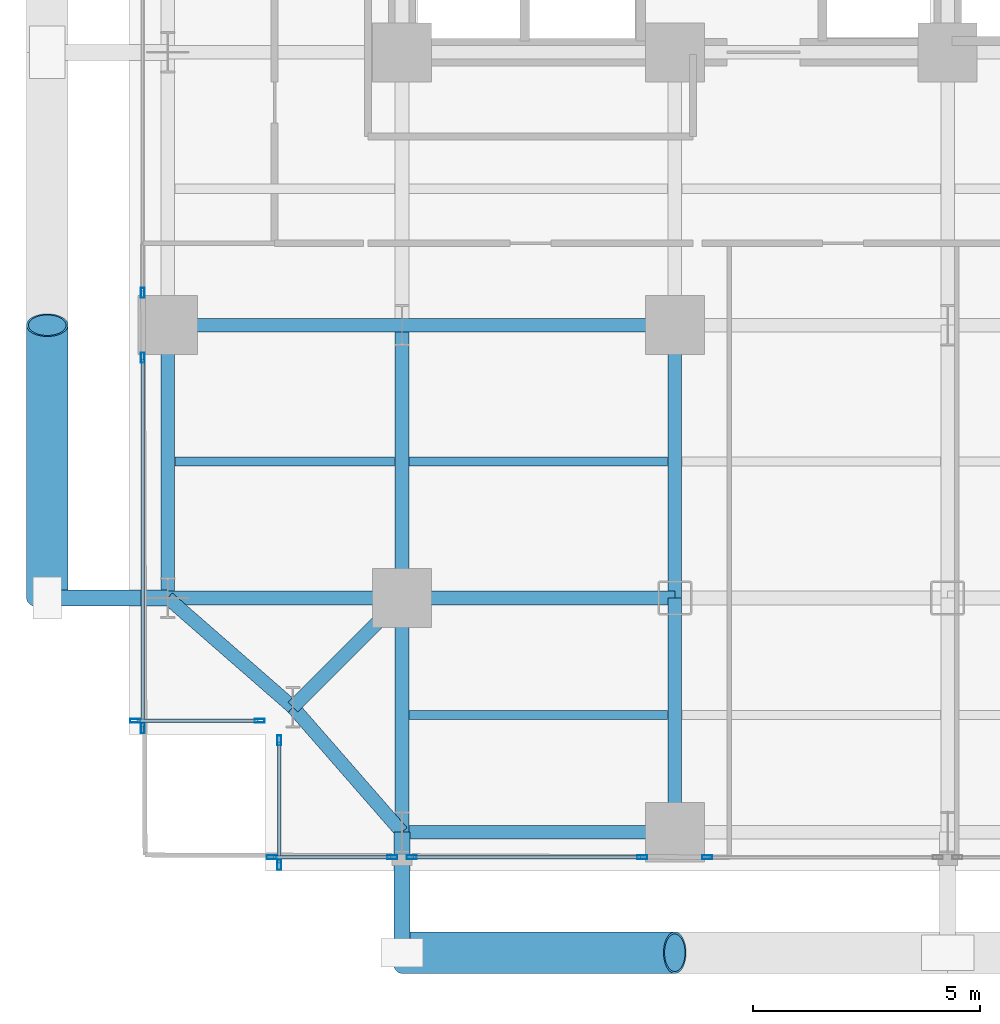
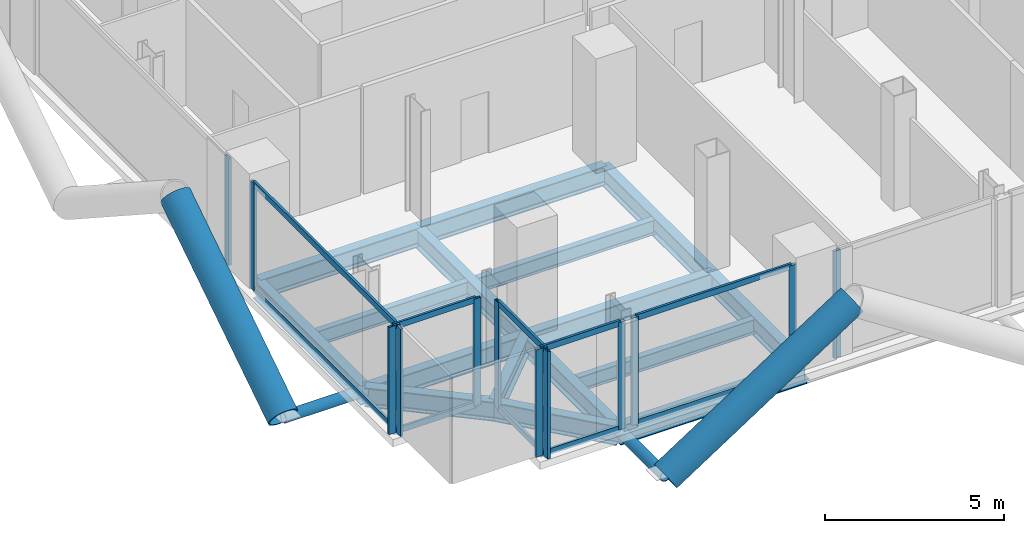
# One storey, part 2 of 27: 26 members, 16 beams, 7 elements without a shape of their own.
"""IFC4 building model written with IfcOpenShell, lengths in metres."""

from ifc_helpers import new_model, si_unit, direction, frame, origin, origin_2d, place, context, subcontext, project, spatial, hollow_rectangle, hollow_circle, i_section, extrude, material, layer, layer_set, material_profile, profile_set, type_object, element, aggregate, save


model = new_model("IFC4")

# Units and contexts
model_context = context("Model", 3, precision=1e-05, world=origin(), true_north=direction((0.0, 1.0)))
body_context = subcontext(model_context, "Body", "Model", "MODEL_VIEW")
ifc_project = project(units=[si_unit("LENGTHUNIT", "METRE"), si_unit("AREAUNIT", "SQUARE_METRE"), si_unit("VOLUMEUNIT", "CUBIC_METRE"), si_unit("PLANEANGLEUNIT", "RADIAN"), si_unit("MASSUNIT", "GRAM", prefix="KILO"), si_unit("THERMODYNAMICTEMPERATUREUNIT", "KELVIN"), si_unit("POWERUNIT", "WATT")], contexts=[model_context])

# Site, building, storey
site_placement = place(None, origin())
site = spatial("IfcSite", under=ifc_project, at=site_placement, CompositionType="ELEMENT")
building_placement = place(site_placement, origin())
building = spatial("IfcBuilding", under=site, at=building_placement, Name="Svarakhadi Broadcast Tower", CompositionType="ELEMENT")
storey_placement = place(building_placement, frame((0.0, 0.0, 40.199951171875)))
storey = spatial("IfcBuildingStorey", under=building, at=storey_placement, Name="L08", CompositionType="ELEMENT", Elevation=40.199951171875)

# Beams
ifc_material_1 = material(Name="Steel S355J2 (IS 2062 E350C)", Category="steel")
ifc_material_profile_1 = material_profile(ifc_material_1, i_section(OverallWidth=0.199951171875, OverallDepth=0.5, WebThickness=0.01025390625, FlangeThickness=0.01611328125, FilletRadius=0.02099609375, at=origin_2d()), Name="NPB 500x200x91")
ifc_profile_set_1 = profile_set([ifc_material_profile_1], Name="Steel S355J2 (IS 2062 E350C)")
beam_type_1 = type_object("IfcBeamType", Name="Beam_NPB500", PredefinedType="BEAM", material=ifc_profile_set_1)
beam_1_placement = place(storey_placement, frame((1.010009765625, 9.0, -0.5), z_axis=(1.0, 0.0, 0.0), x_axis=(0.0, 1.0, 0.0)))
element("IfcBeam", 1, at=beam_1_placement, inside=storey, type_object=beam_type_1, Name="L08 Secondary Composite Beam SB001", PredefinedType="BEAM", context=body_context, shape_type="SweptSolid", body=[
    extrude(i_section(OverallWidth=0.199951171875, OverallDepth=0.5, WebThickness=0.01025390625, FlangeThickness=0.01611328125, FilletRadius=0.02099609375, at=origin_2d()), origin(), (0.0, 0.0, 1.0), 4.830078125),
])
for number, where, z_axis, x_axis, name in (
    (2, (6.159912109375, 3.425048828125, -0.5), (1.0, 0.0, 0.0), (0.0, 1.0, 0.0), "L08 Secondary Composite Beam SB007"),
    (3, (6.159912109375, 9.0, -0.5), (1.0, 0.0, 0.0), (0.0, 1.0, 0.0), "L08 Secondary Composite Beam SB008"),
):
    element("IfcBeam", number, at=place(storey_placement, frame(where, z_axis=z_axis, x_axis=x_axis)), inside=storey, type_object=beam_type_1, Name=name, PredefinedType="BEAM", context=body_context, shape_type="SweptSolid", body=[
        extrude(i_section(OverallWidth=0.199951171875, OverallDepth=0.5, WebThickness=0.01025390625, FlangeThickness=0.01611328125, FilletRadius=0.02099609375, at=origin_2d()), origin(), (0.0, 0.0, 1.0), 5.68017578125),
    ])

# Curtain wall, members
ifc_material_2 = material(Name="Anodised Bronze Aluminium AA 6063-T6", Category="aluminium")
ifc_layer = layer(ifc_material_2, 0.219970703125)
ifc_layer_set = layer_set([ifc_layer], Name="Anodised Bronze Aluminium AA 6063-T6")
curtain_wall_type = type_object("IfcCurtainWallType", Name="CW_Sys_02", PredefinedType="NOTDEFINED", material=ifc_layer_set)
curtain_wall_1_placement = place(storey_placement, origin())
curtain_wall_1 = element("IfcCurtainWall", 4, at=curtain_wall_1_placement, inside=storey, type_object=curtain_wall_type, Name="L08 Unitised Facade Curtain Wall 01", PredefinedType="NOTDEFINED")
ifc_material_profile_2 = material_profile(ifc_material_2, hollow_rectangle(XDim=0.0849609375, YDim=0.219970703125, WallThickness=0.006103515625, at=origin_2d()), Name="ALU MULLION 220x85x6")
ifc_profile_set_2 = profile_set([ifc_material_profile_2], Name="Anodised Bronze Aluminium AA 6063-T6")
member_type_1 = type_object("IfcMemberType", Name="CW_Sys_02_Mul", PredefinedType="MULLION", material=ifc_profile_set_2)
member_1_placement = place(storey_placement, frame((2.867431640625, 3.300048828125, 0.0), z_axis=(0.0, 0.0, 1.0), x_axis=(0.0, -1.0, 0.0)))
member_1 = element("IfcMember", 5, at=member_1_placement, type_object=member_type_1, Name="CW-02 mullion 1", PredefinedType="MULLION", context=body_context, shape_type="SweptSolid", body=[
    extrude(hollow_rectangle(XDim=0.0849609375, YDim=0.219970703125, WallThickness=0.006103515625, at=origin_2d()), origin(), (0.0, 0.0, 1.0), 3.650146484375),
])
member_2_placement = place(storey_placement, frame((0.132568359375, 3.300048828125, 0.0), z_axis=(0.0, 0.0, 1.0), x_axis=(0.0, -1.0, 0.0)))
member_2 = element("IfcMember", 6, at=member_2_placement, type_object=member_type_1, Name="CW-02 mullion 2", PredefinedType="MULLION", context=body_context, shape_type="SweptSolid", body=[
    extrude(hollow_rectangle(XDim=0.0849609375, YDim=0.219970703125, WallThickness=0.006103515625, at=origin_2d()), origin(), (0.0, 0.0, 1.0), 3.650146484375),
])

curtain_wall_2_placement = place(storey_placement, origin())
curtain_wall_2 = element("IfcCurtainWall", 7, at=curtain_wall_2_placement, inside=storey, type_object=curtain_wall_type, Name="L08 West Curtain Wall 02 Bay 1", PredefinedType="NOTDEFINED")
member_3_placement = place(storey_placement, frame((0.300048828125, 3.132568359375, 0.0), z_axis=(0.0, 0.0, 1.0), x_axis=(-1.0, 0.0, 0.0)))
member_3 = element("IfcMember", 8, at=member_3_placement, type_object=member_type_1, Name="CW-02 mullion 1", PredefinedType="MULLION", context=body_context, shape_type="SweptSolid", body=[
    extrude(hollow_rectangle(XDim=0.0849609375, YDim=0.219970703125, WallThickness=0.006103515625, at=origin_2d()), origin(), (0.0, 0.0, 1.0), 3.650146484375),
])
member_4_placement = place(storey_placement, frame((0.300048828125, 11.28759765625, 0.0), z_axis=(0.0, 0.0, 1.0), x_axis=(-1.0, 0.0, 0.0)))
member_4 = element("IfcMember", 9, at=member_4_placement, type_object=member_type_1, Name="CW-02 mullion 2", PredefinedType="MULLION", context=body_context, shape_type="SweptSolid", body=[
    extrude(hollow_rectangle(XDim=0.0849609375, YDim=0.219970703125, WallThickness=0.006103515625, at=origin_2d()), origin(), (0.0, 0.0, 1.0), 3.650146484375),
])

# Curtain wall, member
curtain_wall_3_placement = place(storey_placement, origin())
curtain_wall_3 = element("IfcCurtainWall", 10, at=curtain_wall_3_placement, inside=storey, type_object=curtain_wall_type, Name="L08 West Curtain Wall 02 Bay 2", PredefinedType="NOTDEFINED")
member_5_placement = place(storey_placement, frame((0.300048828125, 12.71240234375, 0.0), z_axis=(0.0, 0.0, 1.0), x_axis=(-1.0, 0.0, 0.0)))
member_5 = element("IfcMember", 11, at=member_5_placement, type_object=member_type_1, Name="CW-02 mullion 1", PredefinedType="MULLION", context=body_context, shape_type="SweptSolid", body=[
    extrude(hollow_rectangle(XDim=0.0849609375, YDim=0.219970703125, WallThickness=0.006103515625, at=origin_2d()), origin(), (0.0, 0.0, 1.0), 3.650146484375),
])
aggregate(curtain_wall_3, [member_5])

curtain_wall_4_placement = place(storey_placement, origin())
curtain_wall_4 = element("IfcCurtainWall", 12, at=curtain_wall_4_placement, inside=storey, type_object=curtain_wall_type, Name="L08 South Curtain Wall 17 Bay 5", PredefinedType="NOTDEFINED")
member_6_placement = place(storey_placement, frame((12.71240234375, 0.300048828125, 0.0), z_axis=(0.0, 0.0, 1.0), x_axis=(0.0, -1.0, 0.0)))
member_6 = element("IfcMember", 13, at=member_6_placement, type_object=member_type_1, Name="CW-02 mullion 2", PredefinedType="MULLION", context=body_context, shape_type="SweptSolid", body=[
    extrude(hollow_rectangle(XDim=0.0849609375, YDim=0.219970703125, WallThickness=0.006103515625, at=origin_2d()), origin(), (0.0, 0.0, 1.0), 3.650146484375),
])
aggregate(curtain_wall_4, [member_6])

# Curtain wall, members
curtain_wall_5_placement = place(storey_placement, origin())
curtain_wall_5 = element("IfcCurtainWall", 14, at=curtain_wall_5_placement, inside=storey, type_object=curtain_wall_type, Name="L08 South Curtain Wall 17 Bay 6", PredefinedType="NOTDEFINED")
member_7_placement = place(storey_placement, frame((11.28759765625, 0.300048828125, 0.0), z_axis=(0.0, 0.0, 1.0), x_axis=(0.0, -1.0, 0.0)))
member_7 = element("IfcMember", 15, at=member_7_placement, type_object=member_type_1, Name="CW-02 mullion 1", PredefinedType="MULLION", context=body_context, shape_type="SweptSolid", body=[
    extrude(hollow_rectangle(XDim=0.0849609375, YDim=0.219970703125, WallThickness=0.006103515625, at=origin_2d()), origin(), (0.0, 0.0, 1.0), 3.650146484375),
])
member_8_placement = place(storey_placement, frame((6.21240234375, 0.300048828125, 0.0), z_axis=(0.0, 0.0, 1.0), x_axis=(0.0, -1.0, 0.0)))
member_8 = element("IfcMember", 16, at=member_8_placement, type_object=member_type_1, Name="CW-02 mullion 2", PredefinedType="MULLION", context=body_context, shape_type="SweptSolid", body=[
    extrude(hollow_rectangle(XDim=0.0849609375, YDim=0.219970703125, WallThickness=0.006103515625, at=origin_2d()), origin(), (0.0, 0.0, 1.0), 3.650146484375),
])

curtain_wall_6_placement = place(storey_placement, origin())
curtain_wall_6 = element("IfcCurtainWall", 17, at=curtain_wall_6_placement, inside=storey, type_object=curtain_wall_type, Name="L08 South Curtain Wall 17 Bay 7", PredefinedType="NOTDEFINED")
member_9_placement = place(storey_placement, frame((5.78759765625, 0.300048828125, 0.0), z_axis=(0.0, 0.0, 1.0), x_axis=(0.0, -1.0, 0.0)))
member_9 = element("IfcMember", 18, at=member_9_placement, type_object=member_type_1, Name="CW-02 mullion 1", PredefinedType="MULLION", context=body_context, shape_type="SweptSolid", body=[
    extrude(hollow_rectangle(XDim=0.0849609375, YDim=0.219970703125, WallThickness=0.006103515625, at=origin_2d()), origin(), (0.0, 0.0, 1.0), 3.650146484375),
])
member_10_placement = place(storey_placement, frame((3.132568359375, 0.300048828125, 0.0), z_axis=(0.0, 0.0, 1.0), x_axis=(0.0, -1.0, 0.0)))
member_10 = element("IfcMember", 19, at=member_10_placement, type_object=member_type_1, Name="CW-02 mullion 2", PredefinedType="MULLION", context=body_context, shape_type="SweptSolid", body=[
    extrude(hollow_rectangle(XDim=0.0849609375, YDim=0.219970703125, WallThickness=0.006103515625, at=origin_2d()), origin(), (0.0, 0.0, 1.0), 3.650146484375),
])

curtain_wall_7_placement = place(storey_placement, origin())
curtain_wall_7 = element("IfcCurtainWall", 20, at=curtain_wall_7_placement, inside=storey, type_object=curtain_wall_type, Name="L08 Unitised Facade Curtain Wall 18", PredefinedType="NOTDEFINED")
member_11_placement = place(storey_placement, frame((3.300048828125, 0.132568359375, 0.0), z_axis=(0.0, 0.0, 1.0), x_axis=(-1.0, 0.0, 0.0)))
member_11 = element("IfcMember", 21, at=member_11_placement, type_object=member_type_1, Name="CW-02 mullion 1", PredefinedType="MULLION", context=body_context, shape_type="SweptSolid", body=[
    extrude(hollow_rectangle(XDim=0.0849609375, YDim=0.219970703125, WallThickness=0.006103515625, at=origin_2d()), origin(), (0.0, 0.0, 1.0), 3.650146484375),
])
member_12_placement = place(storey_placement, frame((3.300048828125, 2.867431640625, 0.0), z_axis=(0.0, 0.0, 1.0), x_axis=(-1.0, 0.0, 0.0)))
member_12 = element("IfcMember", 22, at=member_12_placement, type_object=member_type_1, Name="CW-02 mullion 2", PredefinedType="MULLION", context=body_context, shape_type="SweptSolid", body=[
    extrude(hollow_rectangle(XDim=0.0849609375, YDim=0.219970703125, WallThickness=0.006103515625, at=origin_2d()), origin(), (0.0, 0.0, 1.0), 3.650146484375),
])

# Member
ifc_material_profile_3 = material_profile(ifc_material_2, hollow_rectangle(XDim=0.074951171875, YDim=0.199951171875, WallThickness=0.0048828125, at=origin_2d()), Name="ALU TRANSOM 200x75x5")
ifc_profile_set_3 = profile_set([ifc_material_profile_3], Name="Anodised Bronze Aluminium AA 6063-T6")
member_type_2 = type_object("IfcMemberType", Name="CW_Sys_02_Trn", PredefinedType="USERDEFINED", material=ifc_profile_set_3)
member_13_placement = place(storey_placement, frame((2.824951171875, 3.300048828125, 0.03759765625), z_axis=(-1.0, 0.0, 0.0), x_axis=(0.0, -1.0, 0.0)))
member_13 = element("IfcMember", 23, at=member_13_placement, type_object=member_type_2, Name="CW-02 transom 1.1", ObjectType="TRANSOM", PredefinedType="USERDEFINED", context=body_context, shape_type="SweptSolid", body=[
    extrude(hollow_rectangle(XDim=0.074951171875, YDim=0.199951171875, WallThickness=0.0048828125, at=origin_2d()), origin(), (0.0, 0.0, 1.0), 2.64990234375),
])

member_14_placement = place(storey_placement, frame((2.824951171875, 3.300048828125, 3.612548828125), z_axis=(-1.0, 0.0, 0.0), x_axis=(0.0, -1.0, 0.0)))
member_14 = element("IfcMember", 24, at=member_14_placement, type_object=member_type_2, Name="CW-02 transom 1.2", ObjectType="TRANSOM", PredefinedType="USERDEFINED", context=body_context, shape_type="SweptSolid", body=[
    extrude(hollow_rectangle(XDim=0.074951171875, YDim=0.199951171875, WallThickness=0.0048828125, at=origin_2d()), origin(), (0.0, 0.0, 1.0), 2.64990234375),
])

aggregate(curtain_wall_1, [member_1, member_2, member_13, member_14])

member_15_placement = place(storey_placement, frame((0.300048828125, 3.175048828125, 0.03759765625), z_axis=(0.0, 1.0, 0.0), x_axis=(-1.0, 0.0, 0.0)))
member_15 = element("IfcMember", 25, at=member_15_placement, type_object=member_type_2, Name="CW-02 transom 1.1", ObjectType="TRANSOM", PredefinedType="USERDEFINED", context=body_context, shape_type="SweptSolid", body=[
    extrude(hollow_rectangle(XDim=0.074951171875, YDim=0.199951171875, WallThickness=0.0048828125, at=origin_2d()), origin(), (0.0, 0.0, 1.0), 8.070068359375),
])

member_16_placement = place(storey_placement, frame((0.300048828125, 3.175048828125, 3.612548828125), z_axis=(0.0, 1.0, 0.0), x_axis=(-1.0, 0.0, 0.0)))
member_16 = element("IfcMember", 26, at=member_16_placement, type_object=member_type_2, Name="CW-02 transom 1.2", ObjectType="TRANSOM", PredefinedType="USERDEFINED", context=body_context, shape_type="SweptSolid", body=[
    extrude(hollow_rectangle(XDim=0.074951171875, YDim=0.199951171875, WallThickness=0.0048828125, at=origin_2d()), origin(), (0.0, 0.0, 1.0), 8.070068359375),
])

aggregate(curtain_wall_2, [member_3, member_4, member_15, member_16])

member_17_placement = place(storey_placement, frame((11.2451171875, 0.300048828125, 0.03759765625), z_axis=(-1.0, 0.0, 0.0), x_axis=(0.0, -1.0, 0.0)))
member_17 = element("IfcMember", 27, at=member_17_placement, type_object=member_type_2, Name="CW-02 transom 1.1", ObjectType="TRANSOM", PredefinedType="USERDEFINED", context=body_context, shape_type="SweptSolid", body=[
    extrude(hollow_rectangle(XDim=0.074951171875, YDim=0.199951171875, WallThickness=0.0048828125, at=origin_2d()), origin(), (0.0, 0.0, 1.0), 4.990234375),
])

member_18_placement = place(storey_placement, frame((11.2451171875, 0.300048828125, 3.612548828125), z_axis=(-1.0, 0.0, 0.0), x_axis=(0.0, -1.0, 0.0)))
member_18 = element("IfcMember", 28, at=member_18_placement, type_object=member_type_2, Name="CW-02 transom 1.2", ObjectType="TRANSOM", PredefinedType="USERDEFINED", context=body_context, shape_type="SweptSolid", body=[
    extrude(hollow_rectangle(XDim=0.074951171875, YDim=0.199951171875, WallThickness=0.0048828125, at=origin_2d()), origin(), (0.0, 0.0, 1.0), 4.990234375),
])

aggregate(curtain_wall_5, [member_7, member_8, member_17, member_18])

member_19_placement = place(storey_placement, frame((5.7451171875, 0.300048828125, 0.03759765625), z_axis=(-1.0, 0.0, 0.0), x_axis=(0.0, -1.0, 0.0)))
member_19 = element("IfcMember", 29, at=member_19_placement, type_object=member_type_2, Name="CW-02 transom 1.1", ObjectType="TRANSOM", PredefinedType="USERDEFINED", context=body_context, shape_type="SweptSolid", body=[
    extrude(hollow_rectangle(XDim=0.074951171875, YDim=0.199951171875, WallThickness=0.0048828125, at=origin_2d()), origin(), (0.0, 0.0, 1.0), 2.570068359375),
])

member_20_placement = place(storey_placement, frame((5.7451171875, 0.300048828125, 3.612548828125), z_axis=(-1.0, 0.0, 0.0), x_axis=(0.0, -1.0, 0.0)))
member_20 = element("IfcMember", 30, at=member_20_placement, type_object=member_type_2, Name="CW-02 transom 1.2", ObjectType="TRANSOM", PredefinedType="USERDEFINED", context=body_context, shape_type="SweptSolid", body=[
    extrude(hollow_rectangle(XDim=0.074951171875, YDim=0.199951171875, WallThickness=0.0048828125, at=origin_2d()), origin(), (0.0, 0.0, 1.0), 2.570068359375),
])

aggregate(curtain_wall_6, [member_9, member_10, member_19, member_20])

member_21_placement = place(storey_placement, frame((3.300048828125, 0.175048828125, 0.03759765625), z_axis=(0.0, 1.0, 0.0), x_axis=(-1.0, 0.0, 0.0)))
member_21 = element("IfcMember", 31, at=member_21_placement, type_object=member_type_2, Name="CW-02 transom 1.1", ObjectType="TRANSOM", PredefinedType="USERDEFINED", context=body_context, shape_type="SweptSolid", body=[
    extrude(hollow_rectangle(XDim=0.074951171875, YDim=0.199951171875, WallThickness=0.0048828125, at=origin_2d()), origin(), (0.0, 0.0, 1.0), 2.64990234375),
])

member_22_placement = place(storey_placement, frame((3.300048828125, 0.175048828125, 3.612548828125), z_axis=(0.0, 1.0, 0.0), x_axis=(-1.0, 0.0, 0.0)))
member_22 = element("IfcMember", 32, at=member_22_placement, type_object=member_type_2, Name="CW-02 transom 1.2", ObjectType="TRANSOM", PredefinedType="USERDEFINED", context=body_context, shape_type="SweptSolid", body=[
    extrude(hollow_rectangle(XDim=0.074951171875, YDim=0.199951171875, WallThickness=0.0048828125, at=origin_2d()), origin(), (0.0, 0.0, 1.0), 2.64990234375),
])

aggregate(curtain_wall_7, [member_11, member_12, member_21, member_22])

# Members
ifc_material_3 = material(Name="Steel S460ML (IS 2062 E450BR)", Category="steel")
ifc_material_profile_4 = material_profile(ifc_material_3, hollow_circle(Radius=0.45703125, WallThickness=0.044921875, at=origin_2d()), Name="CHS 914x45")
ifc_profile_set_4 = profile_set([ifc_material_profile_4], Name="Steel S460ML (IS 2062 E450BR)")
member_type_3 = type_object("IfcMemberType", Name="Exo_Brace_CHS914", PredefinedType="BRACE", material=ifc_profile_set_4)
for number, where, z_axis, x_axis, name in (
    (33, (6.0, -1.800048828125, -0.427734375), (0.838449851971, 0.0, 0.544978757136), (0.0, 1.0, 0.0), "L08 Exposed Bronze Exoskeleton Diagonal S01"),
    (34, (-1.800048828125, 6.0, -0.427734375), (0.0, 0.838449851971, 0.544978757136), (-1.0, 0.0, 0.0), "L08 Exposed Bronze Exoskeleton Diagonal W06"),
):
    element("IfcMember", number, at=place(storey_placement, frame(where, z_axis=z_axis, x_axis=x_axis)), inside=storey, type_object=member_type_3, Name=name, PredefinedType="BRACE", context=body_context, shape_type="SweptSolid", body=[
        extrude(hollow_circle(Radius=0.45703125, WallThickness=0.044921875, at=origin_2d()), origin(), (0.0, 0.0, 1.0), 7.156005859375),
    ])
ifc_material_profile_5 = material_profile(ifc_material_3, hollow_circle(Radius=0.177734375, WallThickness=0.02001953125, at=origin_2d()), Name="CHS 355.6x20")
ifc_profile_set_5 = profile_set([ifc_material_profile_5], Name="Steel S460ML (IS 2062 E450BR)")
member_type_4 = type_object("IfcMemberType", Name="Exo_Radial_Strut_Z1", PredefinedType="STRUT", material=ifc_profile_set_5)
for number, where, z_axis, x_axis, name in (
    (35, (6.0, -1.800048828125, -0.427734375), (0.0, 1.0, 0.0), (-1.0, 0.0, 0.0), "L08 Exoskeleton Radial Tie Strut S01"),
    (36, (-1.800048828125, 6.0, -0.427734375), (1.0, 0.0, 0.0), (0.0, 1.0, 0.0), "L08 Exoskeleton Radial Tie Strut W05"),
):
    element("IfcMember", number, at=place(storey_placement, frame(where, z_axis=z_axis, x_axis=x_axis)), inside=storey, type_object=member_type_4, Name=name, PredefinedType="STRUT", context=body_context, shape_type="SweptSolid", body=[
        extrude(hollow_circle(Radius=0.177734375, WallThickness=0.02001953125, at=origin_2d()), origin(), (0.0, 0.0, 1.0), 2.650146484375),
    ])

# Beams
ifc_material_profile_6 = material_profile(ifc_material_1, i_section(OverallWidth=0.300048828125, OverallDepth=0.64990234375, WebThickness=0.01611328125, FlangeThickness=0.031005859375, FilletRadius=0.027099609375, at=origin_2d()), Name="WPB 650x300x225")
ifc_profile_set_6 = profile_set([ifc_material_profile_6], Name="Steel S355J2 (IS 2062 E350C)")
beam_type_2 = type_object("IfcBeamType", Name="Girder_WPB650", PredefinedType="USERDEFINED", material=ifc_profile_set_6)
beam_2_placement = place(storey_placement, frame((3.60009765625, 3.60009765625, -0.574951171875), z_axis=(0.707106781187, 0.707106781187, 0.0), x_axis=(-0.707106781187, 0.707106781187, 0.0)))
element("IfcBeam", 37, at=beam_2_placement, inside=storey, type_object=beam_type_2, Name="L08 Corner Tie Girder G001", ObjectType="GIRDER", PredefinedType="USERDEFINED", context=body_context, shape_type="SweptSolid", body=[
    extrude(i_section(OverallWidth=0.300048828125, OverallDepth=0.64990234375, WebThickness=0.01611328125, FlangeThickness=0.031005859375, FilletRadius=0.027099609375, at=origin_2d()), origin(), (0.0, 0.0, 1.0), 3.39404296875),
])
for number, where, z_axis, x_axis, name in (
    (38, (3.60009765625, 3.60009765625, -0.574951171875), (-0.753437912176, 0.657519058655, 0.0), (-0.657519058655, -0.753437912176, 0.0), "L08 Corner Tie Girder G002"),
    (39, (3.60009765625, 3.60009765625, -0.574951171875), (0.657519058655, -0.753437912176, 0.0), (0.753437912176, 0.657519058655, 0.0), "L08 Corner Tie Girder G003"),
):
    element("IfcBeam", number, at=place(storey_placement, frame(where, z_axis=z_axis, x_axis=x_axis)), inside=storey, type_object=beam_type_2, Name=name, ObjectType="GIRDER", PredefinedType="USERDEFINED", context=body_context, shape_type="SweptSolid", body=[
        extrude(i_section(OverallWidth=0.300048828125, OverallDepth=0.64990234375, WebThickness=0.01611328125, FlangeThickness=0.031005859375, FilletRadius=0.027099609375, at=origin_2d()), origin(), (0.0, 0.0, 1.0), 3.64990234375),
    ])
beam_3_placement = place(storey_placement, frame((6.0, 0.85009765625, -0.574951171875), z_axis=(1.0, 0.0, 0.0), x_axis=(0.0, 1.0, 0.0)))
element("IfcBeam", 40, at=beam_3_placement, inside=storey, type_object=beam_type_2, Name="L08 Primary E-W Girder G004", ObjectType="GIRDER", PredefinedType="USERDEFINED", context=body_context, shape_type="SweptSolid", body=[
    extrude(i_section(OverallWidth=0.300048828125, OverallDepth=0.64990234375, WebThickness=0.01611328125, FlangeThickness=0.031005859375, FilletRadius=0.027099609375, at=origin_2d()), origin(), (0.0, 0.0, 1.0), 6.0),
])
beam_4_placement = place(storey_placement, frame((0.85009765625, 6.0, -0.574951171875), z_axis=(1.0, 0.0, 0.0), x_axis=(0.0, 1.0, 0.0)))
element("IfcBeam", 41, at=beam_4_placement, inside=storey, type_object=beam_type_2, Name="L08 Primary E-W Girder G011", ObjectType="GIRDER", PredefinedType="USERDEFINED", context=body_context, shape_type="SweptSolid", body=[
    extrude(i_section(OverallWidth=0.300048828125, OverallDepth=0.64990234375, WebThickness=0.01611328125, FlangeThickness=0.031005859375, FilletRadius=0.027099609375, at=origin_2d()), origin(), (0.0, 0.0, 1.0), 5.14990234375),
])
beam_5_placement = place(storey_placement, frame((6.0, 6.0, -0.574951171875), z_axis=(1.0, 0.0, 0.0), x_axis=(0.0, 1.0, 0.0)))
element("IfcBeam", 42, at=beam_5_placement, inside=storey, type_object=beam_type_2, Name="L08 Primary E-W Girder G012", ObjectType="GIRDER", PredefinedType="USERDEFINED", context=body_context, shape_type="SweptSolid", body=[
    extrude(i_section(OverallWidth=0.300048828125, OverallDepth=0.64990234375, WebThickness=0.01611328125, FlangeThickness=0.031005859375, FilletRadius=0.027099609375, at=origin_2d()), origin(), (0.0, 0.0, 1.0), 6.0),
])
beam_6_placement = place(storey_placement, frame((0.85009765625, 12.0, -0.574951171875), z_axis=(1.0, 0.0, 0.0), x_axis=(0.0, 1.0, 0.0)))
element("IfcBeam", 43, at=beam_6_placement, inside=storey, type_object=beam_type_2, Name="L08 Primary E-W Girder G019", ObjectType="GIRDER", PredefinedType="USERDEFINED", context=body_context, shape_type="SweptSolid", body=[
    extrude(i_section(OverallWidth=0.300048828125, OverallDepth=0.64990234375, WebThickness=0.01611328125, FlangeThickness=0.031005859375, FilletRadius=0.027099609375, at=origin_2d()), origin(), (0.0, 0.0, 1.0), 5.14990234375),
])
for number, where, z_axis, x_axis, name in (
    (44, (6.0, 12.0, -0.574951171875), (1.0, 0.0, 0.0), (0.0, 1.0, 0.0), "L08 Primary E-W Girder G020"),
    (45, (0.85009765625, 6.0, -0.574951171875), (0.0, 1.0, 0.0), (-1.0, 0.0, 0.0), "L08 Primary N-S Girder G045"),
):
    element("IfcBeam", number, at=place(storey_placement, frame(where, z_axis=z_axis, x_axis=x_axis)), inside=storey, type_object=beam_type_2, Name=name, ObjectType="GIRDER", PredefinedType="USERDEFINED", context=body_context, shape_type="SweptSolid", body=[
        extrude(i_section(OverallWidth=0.300048828125, OverallDepth=0.64990234375, WebThickness=0.01611328125, FlangeThickness=0.031005859375, FilletRadius=0.027099609375, at=origin_2d()), origin(), (0.0, 0.0, 1.0), 6.0),
    ])
beam_7_placement = place(storey_placement, frame((6.0, 0.85009765625, -0.574951171875), z_axis=(0.0, 1.0, 0.0), x_axis=(-1.0, 0.0, 0.0)))
element("IfcBeam", 46, at=beam_7_placement, inside=storey, type_object=beam_type_2, Name="L08 Primary N-S Girder G051", ObjectType="GIRDER", PredefinedType="USERDEFINED", context=body_context, shape_type="SweptSolid", body=[
    extrude(i_section(OverallWidth=0.300048828125, OverallDepth=0.64990234375, WebThickness=0.01611328125, FlangeThickness=0.031005859375, FilletRadius=0.027099609375, at=origin_2d()), origin(), (0.0, 0.0, 1.0), 5.14990234375),
])
beam_8_placement = place(storey_placement, frame((6.0, 6.0, -0.574951171875), z_axis=(0.0, 1.0, 0.0), x_axis=(-1.0, 0.0, 0.0)))
element("IfcBeam", 47, at=beam_8_placement, inside=storey, type_object=beam_type_2, Name="L08 Primary N-S Girder G052", ObjectType="GIRDER", PredefinedType="USERDEFINED", context=body_context, shape_type="SweptSolid", body=[
    extrude(i_section(OverallWidth=0.300048828125, OverallDepth=0.64990234375, WebThickness=0.01611328125, FlangeThickness=0.031005859375, FilletRadius=0.027099609375, at=origin_2d()), origin(), (0.0, 0.0, 1.0), 6.0),
])
beam_9_placement = place(storey_placement, frame((12.0, 0.85009765625, -0.574951171875), z_axis=(0.0, 1.0, 0.0), x_axis=(-1.0, 0.0, 0.0)))
element("IfcBeam", 48, at=beam_9_placement, inside=storey, type_object=beam_type_2, Name="L08 Primary N-S Girder G058", ObjectType="GIRDER", PredefinedType="USERDEFINED", context=body_context, shape_type="SweptSolid", body=[
    extrude(i_section(OverallWidth=0.300048828125, OverallDepth=0.64990234375, WebThickness=0.01611328125, FlangeThickness=0.031005859375, FilletRadius=0.027099609375, at=origin_2d()), origin(), (0.0, 0.0, 1.0), 5.14990234375),
])
beam_10_placement = place(storey_placement, frame((12.0, 6.0, -0.574951171875), z_axis=(0.0, 1.0, 0.0), x_axis=(-1.0, 0.0, 0.0)))
element("IfcBeam", 49, at=beam_10_placement, inside=storey, type_object=beam_type_2, Name="L08 Primary N-S Girder G059", ObjectType="GIRDER", PredefinedType="USERDEFINED", context=body_context, shape_type="SweptSolid", body=[
    extrude(i_section(OverallWidth=0.300048828125, OverallDepth=0.64990234375, WebThickness=0.01611328125, FlangeThickness=0.031005859375, FilletRadius=0.027099609375, at=origin_2d()), origin(), (0.0, 0.0, 1.0), 6.0),
])

save(model, "model.ifc")
